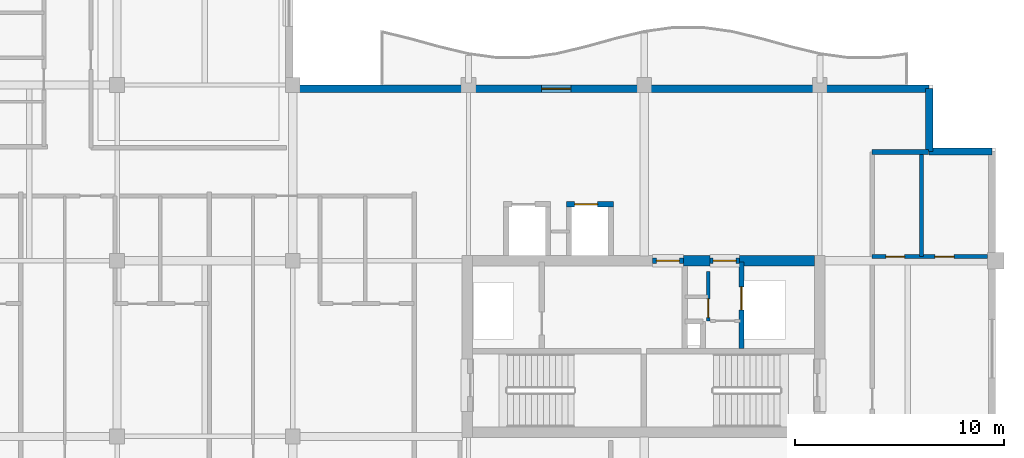
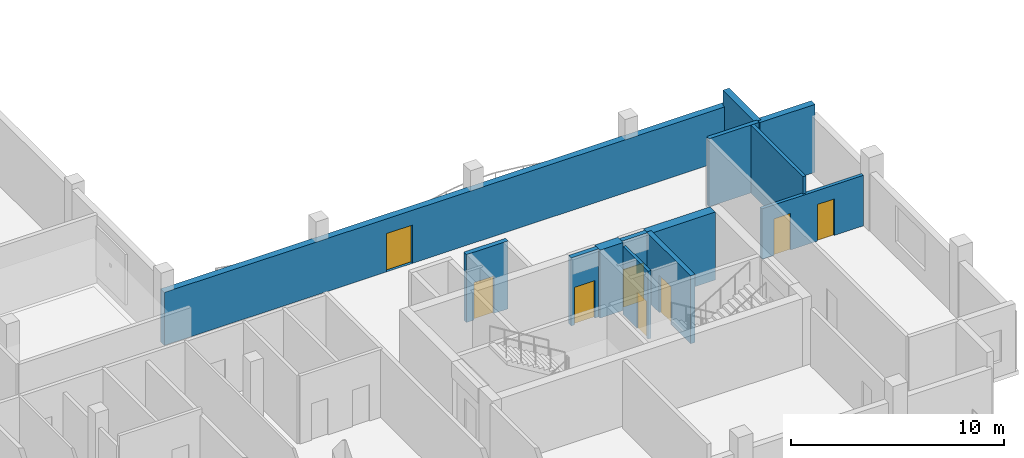
# One storey, part 5 of 11: 13 walls, 8 doors, 8 openings.
"""IFC4 building model written with IfcOpenShell, lengths in metres."""

from ifc_helpers import new_model, si_unit, direction, frame, frame_2d, origin, place, context, subcontext, project, spatial, rectangle, extrude, material, layer, layer_set, type_object, element, fill, save


model = new_model("IFC4")

# Units and contexts
model_context = context("Model", 3, precision=1e-05, world=origin(), true_north=direction((0.0, 1.0)))
body_context = subcontext(model_context, "Body", "Model", "MODEL_VIEW")
ifc_project = project(units=[si_unit("LENGTHUNIT", "METRE"), si_unit("AREAUNIT", "SQUARE_METRE"), si_unit("VOLUMEUNIT", "CUBIC_METRE"), si_unit("PLANEANGLEUNIT", "RADIAN"), si_unit("MASSUNIT", "GRAM", prefix="KILO")], contexts=[model_context])

# Site, building, storey
site_placement = place(None, origin())
site = spatial("IfcSite", under=ifc_project, at=site_placement, CompositionType="ELEMENT")
building_placement = place(site_placement, origin())
building = spatial("IfcBuilding", under=site, at=building_placement, Name="Koriwani Terraces Tower", CompositionType="ELEMENT")
storey_placement = place(building_placement, frame((0.0, 0.0, 359.60009765625)))
storey = spatial("IfcBuildingStorey", under=building, at=storey_placement, Name="L89", CompositionType="ELEMENT", Elevation=359.60009765625)

# Walls
ifc_material_1 = material(Name="Concrete C50/60", Category="concrete")
ifc_layer_1 = layer(ifc_material_1, 0.5, Name="Concrete C50/60")
ifc_layer_set_1 = layer_set([ifc_layer_1], Name="Concrete C50/60")
wall_type_1 = type_object("IfcWallType", Name="WALL_CORE_RC_500", PredefinedType="SHEAR", material=ifc_layer_set_1)
wall_1_placement = place(storey_placement, frame((52.280029296875, 25.199951171875, 0.0), z_axis=(0.0, 0.0, 1.0), x_axis=(1.0, 0.0, 0.0)))
element("IfcWall", 1, at=wall_1_placement, inside=storey, type_object=wall_type_1, Name="L89 East Split Core Shear Wall N2", PredefinedType="SHEAR", context=body_context, shape_type="SweptSolid", body=[
    extrude(rectangle(XDim=1.27001953125, YDim=0.5, at=frame_2d((0.635009765625, 0.0))), origin(), (0.0, 0.0, 1.0), 3.89990234375),
])
wall_2_placement = place(storey_placement, frame((54.949951171875, 25.199951171875, 0.0), z_axis=(0.0, 0.0, 1.0), x_axis=(1.0, 0.0, 0.0)))
element("IfcWall", 2, at=wall_2_placement, inside=storey, type_object=wall_type_1, Name="L89 East Split Core Shear Wall N3", PredefinedType="SHEAR", context=body_context, shape_type="SweptSolid", body=[
    extrude(rectangle(XDim=3.60009765625, YDim=0.5, at=frame_2d((1.800048828125, 0.0))), origin(), (0.0, 0.0, 1.0), 3.89990234375),
])
ifc_material_2 = material(Name="Autoclaved Cellular Concrete Blockwork", Category="masonry")
ifc_layer_2 = layer(ifc_material_2, 0.219970703125, Name="Autoclaved Cellular Concrete Blockwork")
ifc_layer_set_2 = layer_set([ifc_layer_2], Name="Autoclaved Cellular Concrete Blockwork")
wall_type_2 = type_object("IfcWallType", Name="WALL_DEMISING_220", PredefinedType="PARTITIONING", material=ifc_layer_set_2)
wall_3_placement = place(storey_placement, frame((61.300048828125, 30.39990234375, 0.0), z_axis=(0.0, 0.0, 1.0), x_axis=(1.0, 0.0, 0.0)))
element("IfcWall", 3, at=wall_3_placement, inside=storey, type_object=wall_type_2, Name="L89 Interior Wall WET-N-L89", PredefinedType="PARTITIONING", context=body_context, shape_type="SweptSolid", body=[
    extrude(rectangle(XDim=2.699951171875, YDim=0.219970703125, at=frame_2d((1.35009765625, 0.0))), origin(), (0.0, 0.0, 1.0), 3.89990234375),
])

# Wall, opening, door
ifc_layer_3 = layer(ifc_material_1, 0.35009765625, Name="Concrete C50/60")
ifc_layer_set_3 = layer_set([ifc_layer_3], Name="Concrete C50/60")
wall_type_3 = type_object("IfcWallType", Name="WALL_EXT_BRUTALIST_350", PredefinedType="STANDARD", material=ifc_layer_set_3)
wall_4_placement = place(storey_placement, frame((33.425048828125, 33.425048828125, 0.0), z_axis=(0.0, 0.0, 1.0), x_axis=(1.0, 0.0, 0.0)))
wall_4 = element("IfcWall", 4, at=wall_4_placement, inside=storey, type_object=wall_type_3, Name="L89 Fair-Faced Brutalist Exterior Wall (NE)", PredefinedType="STANDARD", context=body_context, shape_type="SweptSolid", body=[
    extrude(rectangle(XDim=30.599853515625, YDim=0.35009765625, at=frame_2d((15.2998046875, 0.0))), origin(), (0.0, 0.0, 1.0), 3.044921875),
])
opening_1_placement = place(wall_4_placement, frame((12.074951171875, 0.0, 0.0)))
opening_1 = element("IfcOpeningElement", 5, at=opening_1_placement, cuts=wall_4, Name="Opening D-09", PredefinedType="OPENING", context=body_context, shape_type="SweptSolid", body=[
    extrude(rectangle(XDim=1.39990234375, YDim=2.199951171875, at=frame_2d((0.699951171875, 1.10009765625))), frame((0.0, 0.18505859375, 0.0), z_axis=(0.0, -1.0, 0.0), x_axis=(1.0, 0.0, 0.0)), (0.0, 0.0, 1.0), 0.3701171875),
])
ifc_material_3 = material(Name="Anodised Bronze Aluminium", Category="aluminium")
door_type_1 = type_object("IfcDoorType", Name="DOOR_BALCONY_GLAZED_1400X2200", OperationType="NOTDEFINED", PredefinedType="DOOR", material=ifc_material_3)
door_1_placement = place(opening_1_placement, origin())
door_1 = element("IfcDoor", 6, at=door_1_placement, inside=storey, type_object=door_type_1, Name="L89 Inner Court Balcony Glazed Door", OperationType="SINGLE_SWING_LEFT", OverallHeight=2.199951171875, OverallWidth=1.39990234375, PredefinedType="DOOR", context=body_context, shape_type="SweptSolid", body=[
    extrude(rectangle(XDim=1.39990234375, YDim=2.199951171875, at=frame_2d((0.699951171875, 1.10009765625))), frame((0.0, 0.02490234375, 0.0), z_axis=(0.0, -1.0, 0.0), x_axis=(1.0, 0.0, 0.0)), (0.0, 0.0, 1.0), 0.050048828125),
])
fill(opening_1, door_1)

# Walls
for number, where, z_axis, x_axis, name in (
    (7, (64.02490234375, 33.425048828125, 0.0), (0.0, 0.0, 1.0), (0.0, -1.0, 0.0), "L89 Fair-Faced Brutalist Exterior Wall (N10)"),
    (8, (64.02490234375, 30.425048828125, 0.0), (0.0, 0.0, 1.0), (1.0, 0.0, 0.0), "L89 Fair-Faced Brutalist Exterior Wall (N11)"),
):
    element("IfcWall", number, at=place(storey_placement, frame(where, z_axis=z_axis, x_axis=x_axis)), inside=storey, type_object=wall_type_3, Name=name, PredefinedType="STANDARD", context=body_context, shape_type="SweptSolid", body=[
        extrude(rectangle(XDim=3.0, YDim=0.35009765625, at=frame_2d((1.5, 0.0))), origin(), (0.0, 0.0, 1.0), 3.89990234375),
    ])

# Wall, openings, doors
ifc_material_4 = material(Name="Fire-Rated Acoustic Gypsum Partition", Category="masonry")
ifc_layer_4 = layer(ifc_material_4, 0.179931640625, Name="Fire-Rated Acoustic Gypsum Partition")
ifc_layer_set_4 = layer_set([ifc_layer_4], Name="Fire-Rated Acoustic Gypsum Partition")
wall_type_4 = type_object("IfcWallType", Name="WALL_PLUMBING_180", PredefinedType="PLUMBINGWALL", material=ifc_layer_set_4)
wall_5_placement = place(storey_placement, frame((61.300048828125, 25.39990234375, 0.0), z_axis=(0.0, 0.0, 1.0), x_axis=(1.0, 0.0, 0.0)))
wall_5 = element("IfcWall", 9, at=wall_5_placement, inside=storey, type_object=wall_type_4, Name="L89 Interior Wall WET-SVB-L89", PredefinedType="PLUMBINGWALL", context=body_context, shape_type="SweptSolid", body=[
    extrude(rectangle(XDim=5.5, YDim=0.179931640625, at=frame_2d((2.75, 0.0))), origin(), (0.0, 0.0, 1.0), 2.89990234375),
])
opening_2_placement = place(wall_5_placement, frame((0.64990234375, 0.0, 0.0)))
opening_2 = element("IfcOpeningElement", 10, at=opening_2_placement, cuts=wall_5, Name="Opening D-07", PredefinedType="OPENING", context=body_context, shape_type="SweptSolid", body=[
    extrude(rectangle(XDim=0.89990234375, YDim=2.10009765625, at=frame_2d((0.449951171875, 1.050048828125))), frame((0.0, 0.10009765625, 0.0), z_axis=(0.0, -1.0, 0.0), x_axis=(1.0, 0.0, 0.0)), (0.0, 0.0, 1.0), 0.199951171875),
])
opening_3_placement = place(wall_5_placement, frame((3.0, 0.0, 0.0)))
opening_3 = element("IfcOpeningElement", 11, at=opening_3_placement, cuts=wall_5, Name="Opening D-06", PredefinedType="OPENING", context=body_context, shape_type="SweptSolid", body=[
    extrude(rectangle(XDim=0.919921875, YDim=2.10009765625, at=frame_2d((0.4599609375, 1.050048828125))), frame((0.0, 0.10009765625, 0.0), z_axis=(0.0, -1.0, 0.0), x_axis=(1.0, 0.0, 0.0)), (0.0, 0.0, 1.0), 0.199951171875),
])
ifc_material_5 = material(Name="Architectural Oak Fire Door", Category="wood")
door_type_2 = type_object("IfcDoorType", Name="DOOR_BATH_INT_900X2100", OperationType="NOTDEFINED", PredefinedType="DOOR", material=ifc_material_5)
door_2_placement = place(opening_2_placement, origin())
door_2 = element("IfcDoor", 12, at=door_2_placement, inside=storey, type_object=door_type_2, Name="Penthouse 89ET Bathroom Door", OperationType="SINGLE_SWING_LEFT", OverallHeight=2.10009765625, OverallWidth=0.89990234375, PredefinedType="DOOR", context=body_context, shape_type="SweptSolid", body=[
    extrude(rectangle(XDim=0.89990234375, YDim=2.10009765625, at=frame_2d((0.449951171875, 1.050048828125))), frame((0.0, 0.02490234375, 0.0), z_axis=(0.0, -1.0, 0.0), x_axis=(1.0, 0.0, 0.0)), (0.0, 0.0, 1.0), 0.050048828125),
])
fill(opening_2, door_2)
door_type_3 = type_object("IfcDoorType", Name="DOOR_ROOM_INT_920X2100", OperationType="NOTDEFINED", PredefinedType="DOOR", material=ifc_material_5)
door_3_placement = place(opening_3_placement, origin())
door_3 = element("IfcDoor", 13, at=door_3_placement, inside=storey, type_object=door_type_3, Name="Penthouse 89ET Kitchen Door", OperationType="SINGLE_SWING_RIGHT", OverallHeight=2.10009765625, OverallWidth=0.919921875, PredefinedType="DOOR", context=body_context, shape_type="SweptSolid", body=[
    extrude(rectangle(XDim=0.919921875, YDim=2.10009765625, at=frame_2d((0.4599609375, 1.050048828125))), frame((0.0, 0.02490234375, 0.0), z_axis=(0.0, -1.0, 0.0), x_axis=(1.0, 0.0, 0.0)), (0.0, 0.0, 1.0), 0.050048828125),
])
fill(opening_3, door_3)

# Wall
wall_6_placement = place(storey_placement, frame((63.64990234375, 25.39990234375, 0.0), z_axis=(0.0, 0.0, 1.0), x_axis=(0.0, 1.0, 0.0)))
element("IfcWall", 14, at=wall_6_placement, inside=storey, type_object=wall_type_4, Name="L89 Interior Wall WET-SVCM-L89", PredefinedType="PLUMBINGWALL", context=body_context, shape_type="SweptSolid", body=[
    extrude(rectangle(XDim=5.0, YDim=0.179931640625, at=frame_2d((2.5, 0.0))), origin(), (0.0, 0.0, 1.0), 3.89990234375),
])

# Wall, opening, door
ifc_material_6 = material(Name="Concrete C40/50", Category="concrete")
ifc_layer_5 = layer(ifc_material_6, 0.25, Name="Concrete C40/50")
ifc_layer_set_5 = layer_set([ifc_layer_5], Name="Concrete C40/50")
wall_type_5 = type_object("IfcWallType", Name="WALL_SHAFT_RATED_250", PredefinedType="SOLIDWALL", material=ifc_layer_set_5)
wall_7_placement = place(storey_placement, frame((50.800048828125, 25.199951171875, 0.0), z_axis=(0.0, 0.0, 1.0), x_axis=(1.0, 0.0, 0.0)))
wall_7 = element("IfcWall", 15, at=wall_7_placement, inside=storey, type_object=wall_type_5, Name="L89 Interior Wall WIN-CE-L89-NP", PredefinedType="SOLIDWALL", context=body_context, shape_type="SweptSolid", body=[
    extrude(rectangle(XDim=1.47998046875, YDim=0.25, at=frame_2d((0.739990234375, 0.0))), origin(), (0.0, 0.0, 1.0), 3.89990234375),
])
opening_4_placement = place(wall_7_placement, frame((0.179931640625, 0.0, 0.0)))
opening_4 = element("IfcOpeningElement", 16, at=opening_4_placement, cuts=wall_7, Name="Opening D-03", PredefinedType="OPENING", context=body_context, shape_type="SweptSolid", body=[
    extrude(rectangle(XDim=1.10009765625, YDim=2.14990234375, at=frame_2d((0.550048828125, 1.074951171875))), frame((0.0, 0.135009765625, 0.0), z_axis=(0.0, -1.0, 0.0), x_axis=(1.0, 0.0, 0.0)), (0.0, 0.0, 1.0), 0.27001953125),
])
ifc_material_7 = material(Name="Steel ASTM A572 Grade 50", Category="steel")
door_type_4 = type_object("IfcDoorType", Name="DOOR_STAIR_FIRE_1100X2150", OperationType="NOTDEFINED", PredefinedType="DOOR", material=ifc_material_7)
door_4_placement = place(opening_4_placement, origin())
door_4 = element("IfcDoor", 17, at=door_4_placement, inside=storey, type_object=door_type_4, Name="L89 East Firefighting Lobby Door", OperationType="SINGLE_SWING_RIGHT", OverallHeight=2.14990234375, OverallWidth=1.10009765625, PredefinedType="DOOR", context=body_context, shape_type="SweptSolid", body=[
    extrude(rectangle(XDim=1.10009765625, YDim=2.14990234375, at=frame_2d((0.550048828125, 1.074951171875))), frame((0.0, 0.02490234375, 0.0), z_axis=(0.0, -1.0, 0.0), x_axis=(1.0, 0.0, 0.0)), (0.0, 0.0, 1.0), 0.050048828125),
])
fill(opening_4, door_4)

wall_8_placement = place(storey_placement, frame((55.050048828125, 21.0, 0.0), z_axis=(0.0, 0.0, 1.0), x_axis=(0.0, 1.0, 0.0)))
wall_8 = element("IfcWall", 18, at=wall_8_placement, inside=storey, type_object=wall_type_5, Name="L89 Interior Wall WIN-CE-L89-SE", PredefinedType="SOLIDWALL", context=body_context, shape_type="SweptSolid", body=[
    extrude(rectangle(XDim=4.14990234375, YDim=0.25, at=frame_2d((2.074951171875, 0.0))), origin(), (0.0, 0.0, 1.0), 3.89990234375),
])
opening_5_placement = place(wall_8_placement, frame((1.85009765625, 0.0, 0.0)))
opening_5 = element("IfcOpeningElement", 19, at=opening_5_placement, cuts=wall_8, Name="Opening LD-01", PredefinedType="OPENING", context=body_context, shape_type="SweptSolid", body=[
    extrude(rectangle(XDim=1.10009765625, YDim=2.14990234375, at=frame_2d((0.550048828125, 1.074951171875))), frame((0.0, 0.135009765625, 0.0), z_axis=(0.0, -1.0, 0.0), x_axis=(1.0, 0.0, 0.0)), (0.0, 0.0, 1.0), 0.27001953125),
])
door_type_5 = type_object("IfcDoorType", Name="DOOR_LIFT_LANDING_1100X2200", OperationType="NOTDEFINED", PredefinedType="DOOR", material=ifc_material_7)
door_5_placement = place(opening_5_placement, origin())
door_5 = element("IfcDoor", 20, at=door_5_placement, inside=storey, type_object=door_type_5, Name="L89 Goods Lift SE-02 Landing Door", OperationType="SLIDING_TO_LEFT", OverallHeight=2.14990234375, OverallWidth=1.10009765625, PredefinedType="DOOR", context=body_context, shape_type="SweptSolid", body=[
    extrude(rectangle(XDim=1.10009765625, YDim=2.14990234375, at=frame_2d((0.550048828125, 1.074951171875))), frame((0.0, 0.02490234375, 0.0), z_axis=(0.0, -1.0, 0.0), x_axis=(1.0, 0.0, 0.0)), (0.0, 0.0, 1.0), 0.050048828125),
])
fill(opening_5, door_5)

wall_9_placement = place(storey_placement, frame((53.550048828125, 25.199951171875, 0.0), z_axis=(0.0, 0.0, 1.0), x_axis=(1.0, 0.0, 0.0)))
wall_9 = element("IfcWall", 21, at=wall_9_placement, inside=storey, type_object=wall_type_5, Name="L89 Interior Wall WIN-CE-L89-NP2", PredefinedType="SOLIDWALL", context=body_context, shape_type="SweptSolid", body=[
    extrude(rectangle(XDim=1.39990234375, YDim=0.25, at=frame_2d((0.699951171875, 0.0))), origin(), (0.0, 0.0, 1.0), 3.89990234375),
])
opening_6_placement = place(wall_9_placement, frame((0.14990234375, 0.0, 0.0)))
opening_6 = element("IfcOpeningElement", 22, at=opening_6_placement, cuts=wall_9, Name="Opening D-03", PredefinedType="OPENING", context=body_context, shape_type="SweptSolid", body=[
    extrude(rectangle(XDim=1.10009765625, YDim=2.14990234375, at=frame_2d((0.550048828125, 1.074951171875))), frame((0.0, 0.135009765625, 0.0), z_axis=(0.0, -1.0, 0.0), x_axis=(1.0, 0.0, 0.0)), (0.0, 0.0, 1.0), 0.27001953125),
])
door_6_placement = place(opening_6_placement, origin())
door_6 = element("IfcDoor", 23, at=door_6_placement, inside=storey, type_object=door_type_4, Name="L89 East Goods Lift Lobby Door", OperationType="SINGLE_SWING_LEFT", OverallHeight=2.14990234375, OverallWidth=1.10009765625, PredefinedType="DOOR", context=body_context, shape_type="SweptSolid", body=[
    extrude(rectangle(XDim=1.10009765625, YDim=2.14990234375, at=frame_2d((0.550048828125, 1.074951171875))), frame((0.0, 0.02490234375, 0.0), z_axis=(0.0, -1.0, 0.0), x_axis=(1.0, 0.0, 0.0)), (0.0, 0.0, 1.0), 0.050048828125),
])
fill(opening_6, door_6)

wall_10_placement = place(storey_placement, frame((46.675048828125, 27.89990234375, 0.0), z_axis=(0.0, 0.0, 1.0), x_axis=(1.0, 0.0, 0.0)))
wall_10 = element("IfcWall", 24, at=wall_10_placement, inside=storey, type_object=wall_type_5, Name="L89 Interior Wall WIN-LF-PE-H4-L89-F", PredefinedType="SOLIDWALL", context=body_context, shape_type="SweptSolid", body=[
    extrude(rectangle(XDim=2.25, YDim=0.25, at=frame_2d((1.125, 0.0))), origin(), (0.0, 0.0, 1.0), 3.89990234375),
])
opening_7_placement = place(wall_10_placement, frame((0.39990234375, 0.0, 0.0)))
opening_7 = element("IfcOpeningElement", 25, at=opening_7_placement, cuts=wall_10, Name="Opening LD-01", PredefinedType="OPENING", context=body_context, shape_type="SweptSolid", body=[
    extrude(rectangle(XDim=1.10009765625, YDim=2.14990234375, at=frame_2d((0.550048828125, 1.074951171875))), frame((0.0, 0.135009765625, 0.0), z_axis=(0.0, -1.0, 0.0), x_axis=(1.0, 0.0, 0.0)), (0.0, 0.0, 1.0), 0.27001953125),
])
door_7_placement = place(opening_7_placement, origin())
door_7 = element("IfcDoor", 26, at=door_7_placement, inside=storey, type_object=door_type_5, Name="L89 Passenger Lift PE-H4 Landing Door", OperationType="SLIDING_TO_LEFT", OverallHeight=2.14990234375, OverallWidth=1.10009765625, PredefinedType="DOOR", context=body_context, shape_type="SweptSolid", body=[
    extrude(rectangle(XDim=1.10009765625, YDim=2.14990234375, at=frame_2d((0.550048828125, 1.074951171875))), frame((0.0, 0.02490234375, 0.0), z_axis=(0.0, -1.0, 0.0), x_axis=(1.0, 0.0, 0.0)), (0.0, 0.0, 1.0), 0.050048828125),
])
fill(opening_7, door_7)

ifc_layer_6 = layer(ifc_material_4, 0.159912109375, Name="Fire-Rated Acoustic Gypsum Partition")
ifc_layer_set_6 = layer_set([ifc_layer_6], Name="Fire-Rated Acoustic Gypsum Partition")
wall_type_6 = type_object("IfcWallType", Name="WALL_SUITE_160", PredefinedType="PARTITIONING", material=ifc_layer_set_6)
wall_11_placement = place(storey_placement, frame((53.4599609375, 22.320068359375, 0.0), z_axis=(0.0, 0.0, 1.0), x_axis=(0.0, 1.0, 0.0)))
wall_11 = element("IfcWall", 27, at=wall_11_placement, inside=storey, type_object=wall_type_6, Name="L89 Interior Wall WIN-CE-L89-SV2H", PredefinedType="PARTITIONING", context=body_context, shape_type="SweptSolid", body=[
    extrude(rectangle(XDim=2.35986328125, YDim=0.159912109375, at=frame_2d((1.179931640625, 0.0))), origin(), (0.0, 0.0, 1.0), 3.89990234375),
])
opening_8_placement = place(wall_11_placement, frame((0.159912109375, 0.0, 0.0)))
opening_8 = element("IfcOpeningElement", 28, at=opening_8_placement, cuts=wall_11, Name="Opening D-07", PredefinedType="OPENING", context=body_context, shape_type="SweptSolid", body=[
    extrude(rectangle(XDim=0.89990234375, YDim=2.10009765625, at=frame_2d((0.449951171875, 1.050048828125))), frame((0.0, 0.08984375, 0.0), z_axis=(0.0, -1.0, 0.0), x_axis=(1.0, 0.0, 0.0)), (0.0, 0.0, 1.0), 0.179931640625),
])
door_8_placement = place(opening_8_placement, origin())
door_8 = element("IfcDoor", 29, at=door_8_placement, inside=storey, type_object=door_type_2, Name="L89 East Valve Room Door", OperationType="SINGLE_SWING_LEFT", OverallHeight=2.10009765625, OverallWidth=0.89990234375, PredefinedType="DOOR", context=body_context, shape_type="SweptSolid", body=[
    extrude(rectangle(XDim=0.89990234375, YDim=2.10009765625, at=frame_2d((0.449951171875, 1.050048828125))), frame((0.0, 0.02490234375, 0.0), z_axis=(0.0, -1.0, 0.0), x_axis=(1.0, 0.0, 0.0)), (0.0, 0.0, 1.0), 0.050048828125),
])
fill(opening_8, door_8)

save(model, "model.ifc")
